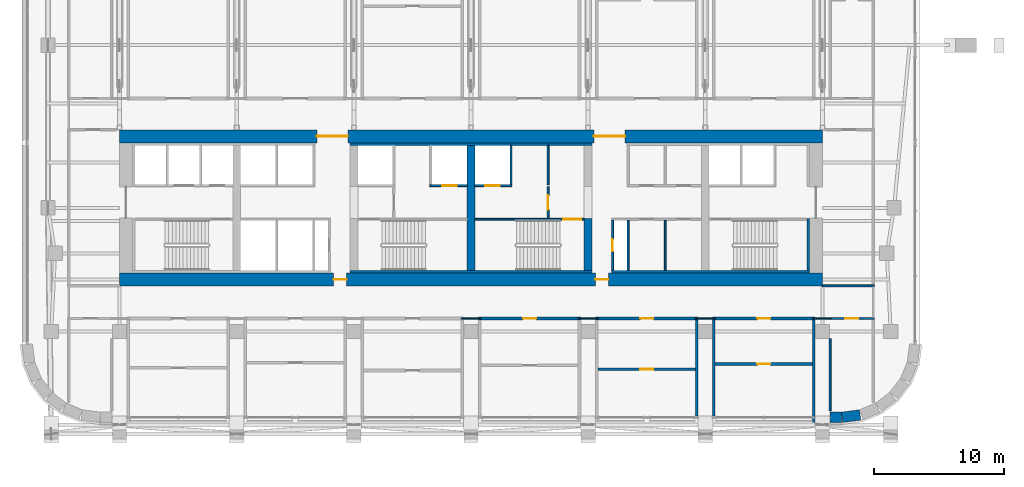
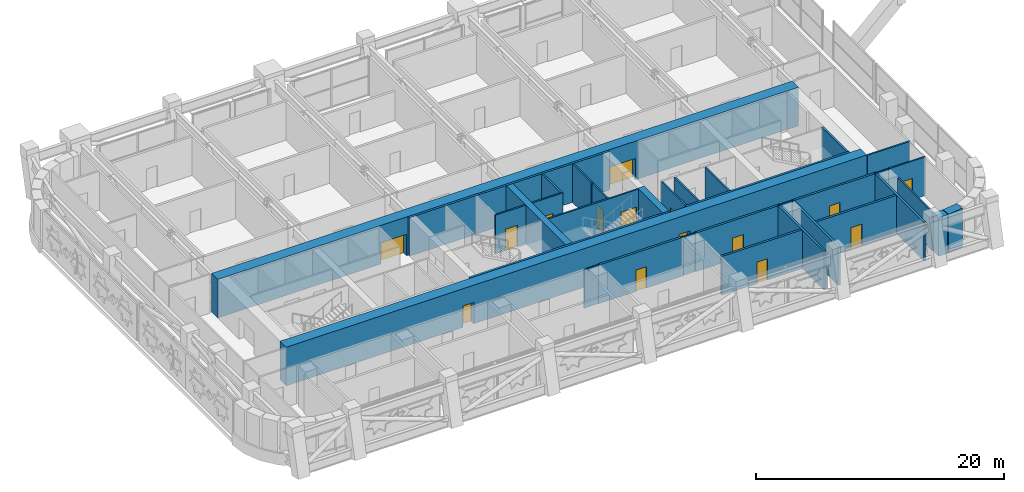
# One storey, part 14 of 27: 34 walls, 15 doors, 15 openings.
"""IFC4 building model written with IfcOpenShell, lengths in metres."""

from ifc_helpers import new_model, si_unit, direction, frame, frame_2d, origin, place, context, subcontext, project, spatial, rectangle, extrude, material, layer, layer_set, type_object, element, fill, save


model = new_model("IFC4")

# Units and contexts
model_context = context("Model", 3, precision=1e-05, world=origin(), true_north=direction((0.0, 1.0)))
body_context = subcontext(model_context, "Body", "Model", "MODEL_VIEW")
ifc_project = project(units=[si_unit("LENGTHUNIT", "METRE"), si_unit("AREAUNIT", "SQUARE_METRE"), si_unit("VOLUMEUNIT", "CUBIC_METRE"), si_unit("PLANEANGLEUNIT", "RADIAN"), si_unit("MASSUNIT", "GRAM", prefix="KILO")], contexts=[model_context])

# Site, building, storey
site_placement = place(None, origin())
site = spatial("IfcSite", under=ifc_project, at=site_placement, CompositionType="ELEMENT")
building_placement = place(site_placement, origin())
building = spatial("IfcBuilding", under=site, at=building_placement, Name="Zellij Exchange Tower", CompositionType="ELEMENT")
storey_placement = place(building_placement, frame((0.0, 0.0, 104.5)))
storey = spatial("IfcBuildingStorey", under=building, at=storey_placement, Name="L22", CompositionType="ELEMENT", Elevation=104.5)

# Walls
ifc_material_1 = material(Name="Concrete C70/85", Category="concrete")
ifc_layer_1 = layer(ifc_material_1, 0.60009765625)
ifc_layer_set_1 = layer_set([ifc_layer_1], Name="Concrete C70/85")
wall_type_1 = type_object("IfcWallType", Name="CORE-CW 600 C70/85", PredefinedType="SHEAR", material=ifc_layer_set_1)
wall_1_placement = place(storey_placement, frame((0.0, -12.800048828125, 0.0), z_axis=(0.0, 0.0, 1.0), x_axis=(0.0, 1.0, 0.0)))
element("IfcWall", 1, at=wall_1_placement, inside=storey, type_object=wall_type_1, Name="Core cross wall x 0 L22", PredefinedType="SHEAR", context=body_context, shape_type="SweptSolid", body=[
    extrude(rectangle(XDim=9.60009765625, YDim=0.60009765625, at=frame_2d((4.800048828125, 0.0))), origin(), (0.0, 0.0, 1.0), 3.800048828125),
])
wall_2_placement = place(storey_placement, frame((9.0, -12.800048828125, 0.0), z_axis=(0.0, 0.0, 1.0), x_axis=(0.0, 1.0, 0.0)))
element("IfcWall", 2, at=wall_2_placement, inside=storey, type_object=wall_type_1, Name="Core cross wall pier x 9 a L22", PredefinedType="SHEAR", context=body_context, shape_type="SweptSolid", body=[
    extrude(rectangle(XDim=4.0, YDim=0.60009765625, at=frame_2d((2.0, 0.0))), origin(), (0.0, 0.0, 1.0), 3.800048828125),
])
ifc_material_2 = material(Name="Concrete C30/37", Category="concrete")
ifc_layer_2 = layer(ifc_material_2, 0.199951171875)
ifc_layer_set_2 = layer_set([ifc_layer_2], Name="Concrete C30/37")
wall_type_2 = type_object("IfcWallType", Name="CORE-LW 200 C30/37", PredefinedType="SHEAR", material=ifc_layer_set_2)
for number, where, z_axis, x_axis, name in (
    (3, (-9.300048828125, -3.10009765625, 0.0), (0.0, 0.0, 1.0), (1.0, 0.0, 0.0), "Core wall lining front.1 L22"),
    (4, (-9.300048828125, -12.89990234375, 0.0), (0.0, 0.0, 1.0), (1.0, 0.0, 0.0), "Core wall lining rear.1 L22"),
):
    element("IfcWall", number, at=place(storey_placement, frame(where, z_axis=z_axis, x_axis=x_axis)), inside=storey, type_object=wall_type_2, Name=name, PredefinedType="SHEAR", context=body_context, shape_type="SweptSolid", body=[
        extrude(rectangle(XDim=18.60009765625, YDim=0.199951171875, at=frame_2d((9.300048828125, 0.0))), origin(), (0.0, 0.0, 1.0), 3.800048828125),
    ])
wall_3_placement = place(storey_placement, frame((10.800048828125, -12.89990234375, 0.0), z_axis=(0.0, 0.0, 1.0), x_axis=(1.0, 0.0, 0.0)))
element("IfcWall", 5, at=wall_3_placement, inside=storey, type_object=wall_type_2, Name="Core wall lining rear.2 L22", PredefinedType="SHEAR", context=body_context, shape_type="SweptSolid", body=[
    extrude(rectangle(XDim=15.199951171875, YDim=0.199951171875, at=frame_2d((7.60009765625, 0.0))), origin(), (0.0, 0.0, 1.0), 3.800048828125),
])
wall_4_placement = place(storey_placement, frame((25.89990234375, -12.800048828125, 0.0), z_axis=(0.0, 0.0, 1.0), x_axis=(0.0, 1.0, 0.0)))
element("IfcWall", 6, at=wall_4_placement, inside=storey, type_object=wall_type_2, Name="Core wall lining end e.0 L22", PredefinedType="SHEAR", context=body_context, shape_type="SweptSolid", body=[
    extrude(rectangle(XDim=4.0, YDim=0.199951171875, at=frame_2d((2.0, 0.0))), origin(), (0.0, 0.0, 1.0), 3.800048828125),
])

# Wall, opening, door
ifc_material_3 = material(Name="Gypsum shaft wall system")
ifc_layer_3 = layer(ifc_material_3, 0.14990234375)
ifc_layer_set_3 = layer_set([ifc_layer_3], Name="Gypsum shaft wall system")
wall_type_3 = type_object("IfcWallType", Name="CORE-PW 150 Firefighting lobby wall", PredefinedType="PARTITIONING", material=ifc_layer_set_3)
wall_5_placement = place(storey_placement, frame((5.925048828125, -8.800048828125, 0.0), z_axis=(0.0, 0.0, 1.0), x_axis=(0.0, 1.0, 0.0)))
wall_5 = element("IfcWall", 7, at=wall_5_placement, inside=storey, type_object=wall_type_3, Name="Firefighting lobby wall L22", PredefinedType="PARTITIONING", context=body_context, shape_type="SweptSolid", body=[
    extrude(rectangle(XDim=2.425048828125, YDim=0.14990234375, at=frame_2d((1.21240234375, 0.0))), origin(), (0.0, 0.0, 1.0), 3.800048828125),
])
opening_1_placement = place(wall_5_placement, frame((0.662109375, 0.0, 0.0)))
opening_1 = element("IfcOpeningElement", 8, at=opening_1_placement, cuts=wall_5, Name="Opening CA-12.12", PredefinedType="OPENING", context=body_context, shape_type="SweptSolid", body=[
    extrude(rectangle(XDim=1.10009765625, YDim=2.10009765625, at=frame_2d((0.550048828125, 1.050048828125))), frame((0.0, 0.0869140625, 0.0), z_axis=(0.0, -1.0, 0.0), x_axis=(1.0, 0.0, 0.0)), (0.0, 0.0, 1.0), 0.173828125),
])
ifc_material_4 = material(Name="Hollow metal fire door")
door_type_1 = type_object("IfcDoorType", Name="CORE-D F Firefighting lobby door 1100x2100 1 HR", OperationType="NOTDEFINED", PredefinedType="DOOR", material=ifc_material_4)
door_1_placement = place(opening_1_placement, origin())
door_1 = element("IfcDoor", 9, at=door_1_placement, inside=storey, type_object=door_type_1, Name="Firefighting lobby door CA-12.12", OperationType="SINGLE_SWING_RIGHT", OverallHeight=2.10009765625, OverallWidth=1.10009765625, PredefinedType="DOOR", context=body_context, shape_type="SweptSolid", body=[
    extrude(rectangle(XDim=1.10009765625, YDim=2.10009765625, at=frame_2d((0.550048828125, 1.050048828125))), frame((0.0, 0.02490234375, 0.0), z_axis=(0.0, -1.0, 0.0), x_axis=(1.0, 0.0, 0.0)), (0.0, 0.0, 1.0), 0.050048828125),
])
fill(opening_1, door_1)

# Wall
ifc_layer_4 = layer(ifc_material_3, 0.14990234375)
ifc_layer_set_4 = layer_set([ifc_layer_4], Name="Gypsum shaft wall system")
wall_type_4 = type_object("IfcWallType", Name="CORE-PW 150 Lift shaft wall", PredefinedType="PARTITIONING", material=ifc_layer_set_4)
wall_6_placement = place(storey_placement, frame((3.074951171875, -6.22509765625, 0.0), z_axis=(0.0, 0.0, 1.0), x_axis=(0.0, 1.0, 0.0)))
element("IfcWall", 10, at=wall_6_placement, inside=storey, type_object=wall_type_4, Name="Lift shaft wall L22", PredefinedType="PARTITIONING", context=body_context, shape_type="SweptSolid", body=[
    extrude(rectangle(XDim=3.025146484375, YDim=0.14990234375, at=frame_2d((1.5126953125, 0.0))), origin(), (0.0, 0.0, 1.0), 3.800048828125),
])

# Wall, opening, door
wall_7_placement = place(storey_placement, frame((-3.14990234375, -6.300048828125, 0.0), z_axis=(0.0, 0.0, 1.0), x_axis=(1.0, 0.0, 0.0)))
wall_7 = element("IfcWall", 11, at=wall_7_placement, inside=storey, type_object=wall_type_4, Name="Lift shaft wall L22", PredefinedType="PARTITIONING", context=body_context, shape_type="SweptSolid", body=[
    extrude(rectangle(XDim=2.849853515625, YDim=0.14990234375, at=frame_2d((1.4248046875, 0.0))), origin(), (0.0, 0.0, 1.0), 3.800048828125),
])
opening_2_placement = place(wall_7_placement, frame((0.949951171875, 0.0, 0.0)))
opening_2 = element("IfcOpeningElement", 12, at=opening_2_placement, cuts=wall_7, Name="Opening CA-12.10", PredefinedType="OPENING", context=body_context, shape_type="SweptSolid", body=[
    extrude(rectangle(XDim=1.10009765625, YDim=2.10009765625, at=frame_2d((0.550048828125, 1.050048828125))), frame((0.0, 0.0869140625, 0.0), z_axis=(0.0, -1.0, 0.0), x_axis=(1.0, 0.0, 0.0)), (0.0, 0.0, 1.0), 0.173828125),
])
door_type_2 = type_object("IfcDoorType", Name="CORE-D LD Lift landing door 1100x2100 1.5 HR", OperationType="NOTDEFINED", PredefinedType="DOOR", material=ifc_material_4)
door_2_placement = place(opening_2_placement, origin())
door_2 = element("IfcDoor", 13, at=door_2_placement, inside=storey, type_object=door_type_2, Name="Lift landing door CA-12.10", OperationType="SLIDING_TO_RIGHT", OverallHeight=2.10009765625, OverallWidth=1.10009765625, PredefinedType="DOOR", context=body_context, shape_type="SweptSolid", body=[
    extrude(rectangle(XDim=1.10009765625, YDim=2.10009765625, at=frame_2d((0.550048828125, 1.050048828125))), frame((0.0, 0.02490234375, 0.0), z_axis=(0.0, -1.0, 0.0), x_axis=(1.0, 0.0, 0.0)), (0.0, 0.0, 1.0), 0.050048828125),
])
fill(opening_2, door_2)

wall_8_placement = place(storey_placement, frame((0.300048828125, -6.300048828125, 0.0), z_axis=(0.0, 0.0, 1.0), x_axis=(1.0, 0.0, 0.0)))
wall_8 = element("IfcWall", 14, at=wall_8_placement, inside=storey, type_object=wall_type_4, Name="Lift shaft wall L22", PredefinedType="PARTITIONING", context=body_context, shape_type="SweptSolid", body=[
    extrude(rectangle(XDim=2.849853515625, YDim=0.14990234375, at=frame_2d((1.4248046875, 0.0))), origin(), (0.0, 0.0, 1.0), 3.800048828125),
])
opening_3_placement = place(wall_8_placement, frame((0.800048828125, 0.0, 0.0)))
opening_3 = element("IfcOpeningElement", 15, at=opening_3_placement, cuts=wall_8, Name="Opening CA-12.11", PredefinedType="OPENING", context=body_context, shape_type="SweptSolid", body=[
    extrude(rectangle(XDim=1.10009765625, YDim=2.10009765625, at=frame_2d((0.550048828125, 1.050048828125))), frame((0.0, 0.0869140625, 0.0), z_axis=(0.0, -1.0, 0.0), x_axis=(1.0, 0.0, 0.0)), (0.0, 0.0, 1.0), 0.173828125),
])
door_3_placement = place(opening_3_placement, origin())
door_3 = element("IfcDoor", 16, at=door_3_placement, inside=storey, type_object=door_type_2, Name="Lift landing door CA-12.11", OperationType="SLIDING_TO_LEFT", OverallHeight=2.10009765625, OverallWidth=1.10009765625, PredefinedType="DOOR", context=body_context, shape_type="SweptSolid", body=[
    extrude(rectangle(XDim=1.10009765625, YDim=2.10009765625, at=frame_2d((0.550048828125, 1.050048828125))), frame((0.0, 0.02490234375, 0.0), z_axis=(0.0, -1.0, 0.0), x_axis=(1.0, 0.0, 0.0)), (0.0, 0.0, 1.0), 0.050048828125),
])
fill(opening_3, door_3)

# Wall
ifc_layer_5 = layer(ifc_material_3, 0.14990234375)
ifc_layer_set_5 = layer_set([ifc_layer_5], Name="Gypsum shaft wall system")
wall_type_5 = type_object("IfcWallType", Name="CORE-PW 150 Plant room wall", PredefinedType="PARTITIONING", material=ifc_layer_set_5)
wall_9_placement = place(storey_placement, frame((5.925048828125, -6.22509765625, 0.0), z_axis=(0.0, 0.0, 1.0), x_axis=(0.0, 1.0, 0.0)))
element("IfcWall", 17, at=wall_9_placement, inside=storey, type_object=wall_type_5, Name="Plant room wall L22", PredefinedType="PARTITIONING", context=body_context, shape_type="SweptSolid", body=[
    extrude(rectangle(XDim=3.025146484375, YDim=0.14990234375, at=frame_2d((1.5126953125, 0.0))), origin(), (0.0, 0.0, 1.0), 3.800048828125),
])

# Wall, opening, door
wall_10_placement = place(storey_placement, frame((10.875, -12.800048828125, 0.0), z_axis=(0.0, 0.0, 1.0), x_axis=(0.0, 1.0, 0.0)))
wall_10 = element("IfcWall", 18, at=wall_10_placement, inside=storey, type_object=wall_type_5, Name="Plant room wall L22", PredefinedType="PARTITIONING", context=body_context, shape_type="SweptSolid", body=[
    extrude(rectangle(XDim=3.85009765625, YDim=0.14990234375, at=frame_2d((1.925048828125, 0.0))), origin(), (0.0, 0.0, 1.0), 3.800048828125),
])
opening_4_placement = place(wall_10_placement, frame((1.47509765625, 0.0, 0.0)))
opening_4 = element("IfcOpeningElement", 19, at=opening_4_placement, cuts=wall_10, Name="Opening CA-12.16", PredefinedType="OPENING", context=body_context, shape_type="SweptSolid", body=[
    extrude(rectangle(XDim=0.89990234375, YDim=2.10009765625, at=frame_2d((0.449951171875, 1.050048828125))), frame((0.0, 0.0869140625, 0.0), z_axis=(0.0, -1.0, 0.0), x_axis=(1.0, 0.0, 0.0)), (0.0, 0.0, 1.0), 0.173828125),
])
door_type_3 = type_object("IfcDoorType", Name="CORE-D RD Riser door 900x2100 1.5 HR", OperationType="NOTDEFINED", PredefinedType="DOOR", material=ifc_material_4)
door_4_placement = place(opening_4_placement, origin())
door_4 = element("IfcDoor", 20, at=door_4_placement, inside=storey, type_object=door_type_3, Name="Riser door CA-12.16", OperationType="SINGLE_SWING_LEFT", OverallHeight=2.10009765625, OverallWidth=0.89990234375, PredefinedType="DOOR", context=body_context, shape_type="SweptSolid", body=[
    extrude(rectangle(XDim=0.89990234375, YDim=2.10009765625, at=frame_2d((0.449951171875, 1.050048828125))), frame((0.0, 0.02490234375, 0.0), z_axis=(0.0, -1.0, 0.0), x_axis=(1.0, 0.0, 0.0)), (0.0, 0.0, 1.0), 0.050048828125),
])
fill(opening_4, door_4)

# Walls
for number, where, z_axis, x_axis, name in (
    (21, (12.074951171875, -12.800048828125, 0.0), (0.0, 0.0, 1.0), (0.0, 1.0, 0.0), "Plant room wall L22"),
    (22, (14.925048828125, -12.800048828125, 0.0), (0.0, 0.0, 1.0), (0.0, 1.0, 0.0), "Plant room wall L22"),
):
    element("IfcWall", number, at=place(storey_placement, frame(where, z_axis=z_axis, x_axis=x_axis)), inside=storey, type_object=wall_type_5, Name=name, PredefinedType="PARTITIONING", context=body_context, shape_type="SweptSolid", body=[
        extrude(rectangle(XDim=3.85009765625, YDim=0.14990234375, at=frame_2d((1.925048828125, 0.0))), origin(), (0.0, 0.0, 1.0), 3.800048828125),
    ])

# Wall, openings, doors
ifc_layer_6 = layer(ifc_material_1, 1.0)
ifc_layer_set_6 = layer_set([ifc_layer_6], Name="Concrete C70/85")
wall_type_6 = type_object("IfcWallType", Name="CORE-SW 1000 C70/85", PredefinedType="SHEAR", material=ifc_layer_set_6)
wall_11_placement = place(storey_placement, frame((-27.0, -2.5, 0.0), z_axis=(0.0, 0.0, 1.0), x_axis=(1.0, 0.0, 0.0)))
wall_11 = element("IfcWall", 23, at=wall_11_placement, inside=storey, type_object=wall_type_6, Name="Core shear wall front L22", PredefinedType="SHEAR", context=body_context, shape_type="SweptSolid", body=[
    extrude(rectangle(XDim=54.0, YDim=1.0, at=frame_2d((27.0, 0.0))), origin(), (0.0, 0.0, 1.0), 3.800048828125),
])
opening_5_placement = place(wall_11_placement, frame((15.14990234375, 0.0, 0.0)))
opening_5 = element("IfcOpeningElement", 24, at=opening_5_placement, cuts=wall_11, Name="Opening CA-12.06", PredefinedType="OPENING", context=body_context, shape_type="SweptSolid", body=[
    extrude(rectangle(XDim=2.39990234375, YDim=2.10009765625, at=frame_2d((1.199951171875, 1.050048828125))), frame((0.0, 0.511962890625, 0.0), z_axis=(0.0, -1.0, 0.0), x_axis=(1.0, 0.0, 0.0)), (0.0, 0.0, 1.0), 1.02392578125),
])
opening_6_placement = place(wall_11_placement, frame((36.449951171875, 0.0, 0.0)))
opening_6 = element("IfcOpeningElement", 25, at=opening_6_placement, cuts=wall_11, Name="Opening CA-12.15", PredefinedType="OPENING", context=body_context, shape_type="SweptSolid", body=[
    extrude(rectangle(XDim=2.39990234375, YDim=2.10009765625, at=frame_2d((1.199951171875, 1.050048828125))), frame((0.0, 0.511962890625, 0.0), z_axis=(0.0, -1.0, 0.0), x_axis=(1.0, 0.0, 0.0)), (0.0, 0.0, 1.0), 1.02392578125),
])
door_type_4 = type_object("IfcDoorType", Name="CORE-D CE Core entrance door 2400x2100 20 MIN", OperationType="NOTDEFINED", PredefinedType="DOOR", material=ifc_material_4)
door_5_placement = place(opening_5_placement, origin())
door_5 = element("IfcDoor", 26, at=door_5_placement, inside=storey, type_object=door_type_4, Name="Core entrance door CA-12.06", OperationType="DOUBLE_DOOR_SINGLE_SWING", OverallHeight=2.10009765625, OverallWidth=2.39990234375, PredefinedType="DOOR", context=body_context, shape_type="SweptSolid", body=[
    extrude(rectangle(XDim=2.39990234375, YDim=2.10009765625, at=frame_2d((1.199951171875, 1.050048828125))), frame((0.0, 0.02490234375, 0.0), z_axis=(0.0, -1.0, 0.0), x_axis=(1.0, 0.0, 0.0)), (0.0, 0.0, 1.0), 0.050048828125),
])
fill(opening_5, door_5)
door_6_placement = place(opening_6_placement, origin())
door_6 = element("IfcDoor", 27, at=door_6_placement, inside=storey, type_object=door_type_4, Name="Core entrance door CA-12.15", OperationType="DOUBLE_DOOR_SINGLE_SWING", OverallHeight=2.10009765625, OverallWidth=2.39990234375, PredefinedType="DOOR", context=body_context, shape_type="SweptSolid", body=[
    extrude(rectangle(XDim=2.39990234375, YDim=2.10009765625, at=frame_2d((1.199951171875, 1.050048828125))), frame((0.0, 0.02490234375, 0.0), z_axis=(0.0, -1.0, 0.0), x_axis=(1.0, 0.0, 0.0)), (0.0, 0.0, 1.0), 0.050048828125),
])
fill(opening_6, door_6)

wall_12_placement = place(storey_placement, frame((-27.0, -13.5, 0.0), z_axis=(0.0, 0.0, 1.0), x_axis=(1.0, 0.0, 0.0)))
wall_12 = element("IfcWall", 28, at=wall_12_placement, inside=storey, type_object=wall_type_6, Name="Core shear wall rear L22", PredefinedType="SHEAR", context=body_context, shape_type="SweptSolid", body=[
    extrude(rectangle(XDim=54.0, YDim=1.0, at=frame_2d((27.0, 0.0))), origin(), (0.0, 0.0, 1.0), 3.800048828125),
])
opening_7_placement = place(wall_12_placement, frame((16.449951171875, 0.0, 0.0)))
opening_7 = element("IfcOpeningElement", 29, at=opening_7_placement, cuts=wall_12, Name="Opening CA-12.07", PredefinedType="OPENING", context=body_context, shape_type="SweptSolid", body=[
    extrude(rectangle(XDim=1.0, YDim=2.10009765625, at=frame_2d((0.5, 1.050048828125))), frame((0.0, 0.511962890625, 0.0), z_axis=(0.0, -1.0, 0.0), x_axis=(1.0, 0.0, 0.0)), (0.0, 0.0, 1.0), 1.02392578125),
])
opening_8_placement = place(wall_12_placement, frame((36.550048828125, 0.0, 0.0)))
opening_8 = element("IfcOpeningElement", 30, at=opening_8_placement, cuts=wall_12, Name="Opening CA-12.14", PredefinedType="OPENING", context=body_context, shape_type="SweptSolid", body=[
    extrude(rectangle(XDim=1.0, YDim=2.10009765625, at=frame_2d((0.5, 1.050048828125))), frame((0.0, 0.511962890625, 0.0), z_axis=(0.0, -1.0, 0.0), x_axis=(1.0, 0.0, 0.0)), (0.0, 0.0, 1.0), 1.02392578125),
])
door_type_5 = type_object("IfcDoorType", Name="CORE-D CR Core rear door 1000x2100 20 MIN", OperationType="NOTDEFINED", PredefinedType="DOOR", material=ifc_material_4)
door_7_placement = place(opening_7_placement, origin())
door_7 = element("IfcDoor", 31, at=door_7_placement, inside=storey, type_object=door_type_5, Name="Core rear door CA-12.07", OperationType="SINGLE_SWING_RIGHT", OverallHeight=2.10009765625, OverallWidth=1.0, PredefinedType="DOOR", context=body_context, shape_type="SweptSolid", body=[
    extrude(rectangle(XDim=1.0, YDim=2.10009765625, at=frame_2d((0.5, 1.050048828125))), frame((0.0, 0.02490234375, 0.0), z_axis=(0.0, -1.0, 0.0), x_axis=(1.0, 0.0, 0.0)), (0.0, 0.0, 1.0), 0.050048828125),
])
fill(opening_7, door_7)
door_8_placement = place(opening_8_placement, origin())
door_8 = element("IfcDoor", 32, at=door_8_placement, inside=storey, type_object=door_type_5, Name="Core rear door CA-12.14", OperationType="SINGLE_SWING_LEFT", OverallHeight=2.10009765625, OverallWidth=1.0, PredefinedType="DOOR", context=body_context, shape_type="SweptSolid", body=[
    extrude(rectangle(XDim=1.0, YDim=2.10009765625, at=frame_2d((0.5, 1.050048828125))), frame((0.0, 0.02490234375, 0.0), z_axis=(0.0, -1.0, 0.0), x_axis=(1.0, 0.0, 0.0)), (0.0, 0.0, 1.0), 0.050048828125),
])
fill(opening_8, door_8)

# Wall, opening, door
ifc_layer_7 = layer(ifc_material_1, 0.14990234375)
ifc_layer_set_7 = layer_set([ifc_layer_7], Name="Concrete C70/85")
wall_type_7 = type_object("IfcWallType", Name="CORE-SWS 150 C70/85", PredefinedType="SHEAR", material=ifc_layer_set_7)
wall_13_placement = place(storey_placement, frame((0.300048828125, -8.875, 0.0), z_axis=(0.0, 0.0, 1.0), x_axis=(1.0, 0.0, 0.0)))
wall_13 = element("IfcWall", 33, at=wall_13_placement, inside=storey, type_object=wall_type_7, Name="Stair enclosure wall L22", PredefinedType="SHEAR", context=body_context, shape_type="SweptSolid", body=[
    extrude(rectangle(XDim=8.39990234375, YDim=0.14990234375, at=frame_2d((4.199951171875, 0.0))), origin(), (0.0, 0.0, 1.0), 3.800048828125),
])
opening_9_placement = place(wall_13_placement, frame((6.77490234375, 0.0, 0.0)))
opening_9 = element("IfcOpeningElement", 34, at=opening_9_placement, cuts=wall_13, Name="Opening CA-12.13", PredefinedType="OPENING", context=body_context, shape_type="SweptSolid", body=[
    extrude(rectangle(XDim=1.39990234375, YDim=2.10009765625, at=frame_2d((0.699951171875, 1.050048828125))), frame((0.0, 0.0869140625, 0.0), z_axis=(0.0, -1.0, 0.0), x_axis=(1.0, 0.0, 0.0)), (0.0, 0.0, 1.0), 0.173828125),
])
door_type_6 = type_object("IfcDoorType", Name="CORE-D SD Stair door 1400x2100 1.5 HR", OperationType="NOTDEFINED", PredefinedType="DOOR", material=ifc_material_4)
door_9_placement = place(opening_9_placement, origin())
door_9 = element("IfcDoor", 35, at=door_9_placement, inside=storey, type_object=door_type_6, Name="Stair door CA-12.13", OperationType="DOUBLE_DOOR_SINGLE_SWING", OverallHeight=2.10009765625, OverallWidth=1.39990234375, PredefinedType="DOOR", context=body_context, shape_type="SweptSolid", body=[
    extrude(rectangle(XDim=1.39990234375, YDim=2.10009765625, at=frame_2d((0.699951171875, 1.050048828125))), frame((0.0, 0.02490234375, 0.0), z_axis=(0.0, -1.0, 0.0), x_axis=(1.0, 0.0, 0.0)), (0.0, 0.0, 1.0), 0.050048828125),
])
fill(opening_9, door_9)

# Walls
ifc_material_5 = material(Name="Precast concrete C40/50", Category="concrete")
ifc_layer_8 = layer(ifc_material_5, 0.800048828125)
ifc_layer_set_8 = layer_set([ifc_layer_8], Name="Precast concrete C40/50")
wall_type_8 = type_object("IfcWallType", Name="ENV-EW1 Precast stone-piered wall 800", PredefinedType="SOLIDWALL", material=ifc_layer_set_8)
wall_14_placement = place(storey_placement, frame((27.60009765625, -24.10009765625, 0.0), z_axis=(0.0, 0.0, 1.0), x_axis=(1.0, 0.0, 0.0)))
element("IfcWall", 36, at=wall_14_placement, inside=storey, type_object=wall_type_8, Name="fac.L22.00j", PredefinedType="SOLIDWALL", context=body_context, shape_type="SweptSolid", body=[
    extrude(rectangle(XDim=0.847412109375, YDim=0.800048828125, at=frame_2d((0.423828125, 0.0))), origin(), (0.0, 0.0, 1.0), 3.800048828125),
])
wall_15_placement = place(storey_placement, frame((28.499755859375, -24.0966796875, 0.0), z_axis=(0.0, 0.0, 1.0), x_axis=(0.99144603414, 0.130517283865, 0.0)))
element("IfcWall", 37, at=wall_15_placement, inside=storey, type_object=wall_type_8, Name="fac.L22.01", PredefinedType="SOLIDWALL", context=body_context, shape_type="SweptSolid", body=[
    extrude(rectangle(XDim=1.408447265625, YDim=0.800048828125, at=frame_2d((0.7041015625, 0.0))), origin(), (0.0, 0.0, 1.0), 3.800048828125),
])
ifc_material_6 = material(Name="Blockwork fire wall", Category="masonry")
ifc_layer_9 = layer(ifc_material_6, 0.199951171875)
ifc_layer_set_9 = layer_set([ifc_layer_9], Name="Blockwork fire wall")
wall_type_9 = type_object("IfcWallType", Name="FIT-BLOCKWORK-200-EI120", PredefinedType="PARTITIONING", material=ifc_layer_set_9)
for number, where, z_axis, x_axis, name in (
    (38, (17.340087890625, -24.0, 0.0), (0.0, 0.0, 1.0), (0.0, 1.0, 0.0), "FIT-BLOCKWORK-200-EI120 010"),
    (39, (18.659912109375, -24.0, 0.0), (0.0, 0.0, 1.0), (0.0, 1.0, 0.0), "FIT-BLOCKWORK-200-EI120 011"),
):
    element("IfcWall", number, at=place(storey_placement, frame(where, z_axis=z_axis, x_axis=x_axis)), inside=storey, type_object=wall_type_9, Name=name, PredefinedType="PARTITIONING", context=body_context, shape_type="SweptSolid", body=[
        extrude(rectangle(XDim=7.39990234375, YDim=0.199951171875, at=frame_2d((3.699951171875, 0.0))), origin(), (0.0, 0.0, 1.0), 3.800048828125),
    ])
wall_16_placement = place(storey_placement, frame((26.340087890625, -24.482177734375, 0.0), z_axis=(0.0, 0.0, 1.0), x_axis=(0.0, 1.0, 0.0)))
element("IfcWall", 40, at=wall_16_placement, inside=storey, type_object=wall_type_9, Name="FIT-BLOCKWORK-200-EI120 012", PredefinedType="PARTITIONING", context=body_context, shape_type="SweptSolid", body=[
    extrude(rectangle(XDim=7.882080078125, YDim=0.199951171875, at=frame_2d((3.94091796875, 0.0))), origin(), (0.0, 0.0, 1.0), 3.800048828125),
])

# Wall, opening, door
wall_17_placement = place(storey_placement, frame((9.760009765625, -20.39990234375, 0.0), z_axis=(0.0, 0.0, 1.0), x_axis=(1.0, 0.0, 0.0)))
wall_17 = element("IfcWall", 41, at=wall_17_placement, inside=storey, type_object=wall_type_9, Name="FIT-BLOCKWORK-200-EI120 018", PredefinedType="PARTITIONING", context=body_context, shape_type="SweptSolid", body=[
    extrude(rectangle(XDim=7.47998046875, YDim=0.199951171875, at=frame_2d((3.739990234375, 0.0))), origin(), (0.0, 0.0, 1.0), 3.800048828125),
])
opening_10_placement = place(wall_17_placement, frame((3.25, 0.0, 0.0)))
opening_10 = element("IfcOpeningElement", 42, at=opening_10_placement, cuts=wall_17, Name="Opening PL22.02", PredefinedType="OPENING", context=body_context, shape_type="SweptSolid", body=[
    extrude(rectangle(XDim=1.0, YDim=2.10009765625, at=frame_2d((0.5, 1.050048828125))), frame((0.0, 0.11181640625, 0.0), z_axis=(0.0, -1.0, 0.0), x_axis=(1.0, 0.0, 0.0)), (0.0, 0.0, 1.0), 0.223876953125),
])
ifc_material_7 = material(Name="Steel fire door set", Category="steel")
door_type_7 = type_object("IfcDoorType", Name="FIT-D4-FIRE-1000X2100", OperationType="SINGLE_SWING_LEFT", PredefinedType="DOOR", material=ifc_material_7)
door_10_placement = place(opening_10_placement, origin())
door_10 = element("IfcDoor", 43, at=door_10_placement, inside=storey, type_object=door_type_7, Name="Door PL22.02", OperationType="SINGLE_SWING_LEFT", OverallHeight=2.10009765625, OverallWidth=1.0, PredefinedType="DOOR", context=body_context, shape_type="SweptSolid", body=[
    extrude(rectangle(XDim=1.0, YDim=2.10009765625, at=frame_2d((0.5, 1.050048828125))), frame((0.0, 0.02490234375, 0.0), z_axis=(0.0, -1.0, 0.0), x_axis=(1.0, 0.0, 0.0)), (0.0, 0.0, 1.0), 0.050048828125),
])
fill(opening_10, door_10)

wall_18_placement = place(storey_placement, frame((18.760009765625, -20.0, 0.0), z_axis=(0.0, 0.0, 1.0), x_axis=(1.0, 0.0, 0.0)))
wall_18 = element("IfcWall", 44, at=wall_18_placement, inside=storey, type_object=wall_type_9, Name="FIT-BLOCKWORK-200-EI120 021", PredefinedType="PARTITIONING", context=body_context, shape_type="SweptSolid", body=[
    extrude(rectangle(XDim=7.47998046875, YDim=0.199951171875, at=frame_2d((3.739990234375, 0.0))), origin(), (0.0, 0.0, 1.0), 3.800048828125),
])
opening_11_placement = place(wall_18_placement, frame((3.25, 0.0, 0.0)))
opening_11 = element("IfcOpeningElement", 45, at=opening_11_placement, cuts=wall_18, Name="Opening PL22.05", PredefinedType="OPENING", context=body_context, shape_type="SweptSolid", body=[
    extrude(rectangle(XDim=1.0, YDim=2.10009765625, at=frame_2d((0.5, 1.050048828125))), frame((0.0, 0.11181640625, 0.0), z_axis=(0.0, -1.0, 0.0), x_axis=(1.0, 0.0, 0.0)), (0.0, 0.0, 1.0), 0.223876953125),
])
door_11_placement = place(opening_11_placement, origin())
door_11 = element("IfcDoor", 46, at=door_11_placement, inside=storey, type_object=door_type_7, Name="Door PL22.05", OperationType="SINGLE_SWING_LEFT", OverallHeight=2.10009765625, OverallWidth=1.0, PredefinedType="DOOR", context=body_context, shape_type="SweptSolid", body=[
    extrude(rectangle(XDim=1.0, YDim=2.10009765625, at=frame_2d((0.5, 1.050048828125))), frame((0.0, 0.02490234375, 0.0), z_axis=(0.0, -1.0, 0.0), x_axis=(1.0, 0.0, 0.0)), (0.0, 0.0, 1.0), 0.050048828125),
])
fill(opening_11, door_11)

wall_19_placement = place(storey_placement, frame((0.56005859375, -16.5, 0.0), z_axis=(0.0, 0.0, 1.0), x_axis=(1.0, 0.0, 0.0)))
wall_19 = element("IfcWall", 47, at=wall_19_placement, inside=storey, type_object=wall_type_9, Name="FIT-BLOCKWORK-200-EI120 032", PredefinedType="PARTITIONING", context=body_context, shape_type="SweptSolid", body=[
    extrude(rectangle(XDim=7.8798828125, YDim=0.199951171875, at=frame_2d((3.93994140625, 0.0))), origin(), (0.0, 0.0, 1.0), 3.800048828125),
])
opening_12_placement = place(wall_19_placement, frame((3.449951171875, 0.0, 0.0)))
opening_12 = element("IfcOpeningElement", 48, at=opening_12_placement, cuts=wall_19, Name="Opening PL22.11", PredefinedType="OPENING", context=body_context, shape_type="SweptSolid", body=[
    extrude(rectangle(XDim=1.0, YDim=2.10009765625, at=frame_2d((0.5, 1.050048828125))), frame((0.0, 0.11181640625, 0.0), z_axis=(0.0, -1.0, 0.0), x_axis=(1.0, 0.0, 0.0)), (0.0, 0.0, 1.0), 0.223876953125),
])
door_12_placement = place(opening_12_placement, origin())
door_12 = element("IfcDoor", 49, at=door_12_placement, inside=storey, type_object=door_type_7, Name="Door PL22.11", OperationType="SINGLE_SWING_LEFT", OverallHeight=2.10009765625, OverallWidth=1.0, PredefinedType="DOOR", context=body_context, shape_type="SweptSolid", body=[
    extrude(rectangle(XDim=1.0, YDim=2.10009765625, at=frame_2d((0.5, 1.050048828125))), frame((0.0, 0.02490234375, 0.0), z_axis=(0.0, -1.0, 0.0), x_axis=(1.0, 0.0, 0.0)), (0.0, 0.0, 1.0), 0.050048828125),
])
fill(opening_12, door_12)

wall_20_placement = place(storey_placement, frame((9.56005859375, -16.5, 0.0), z_axis=(0.0, 0.0, 1.0), x_axis=(1.0, 0.0, 0.0)))
wall_20 = element("IfcWall", 50, at=wall_20_placement, inside=storey, type_object=wall_type_9, Name="FIT-BLOCKWORK-200-EI120 034", PredefinedType="PARTITIONING", context=body_context, shape_type="SweptSolid", body=[
    extrude(rectangle(XDim=7.8798828125, YDim=0.199951171875, at=frame_2d((3.93994140625, 0.0))), origin(), (0.0, 0.0, 1.0), 3.800048828125),
])
opening_13_placement = place(wall_20_placement, frame((3.449951171875, 0.0, 0.0)))
opening_13 = element("IfcOpeningElement", 51, at=opening_13_placement, cuts=wall_20, Name="Opening PL22.12", PredefinedType="OPENING", context=body_context, shape_type="SweptSolid", body=[
    extrude(rectangle(XDim=1.0, YDim=2.10009765625, at=frame_2d((0.5, 1.050048828125))), frame((0.0, 0.11181640625, 0.0), z_axis=(0.0, -1.0, 0.0), x_axis=(1.0, 0.0, 0.0)), (0.0, 0.0, 1.0), 0.223876953125),
])
door_13_placement = place(opening_13_placement, origin())
door_13 = element("IfcDoor", 52, at=door_13_placement, inside=storey, type_object=door_type_7, Name="Door PL22.12", OperationType="SINGLE_SWING_LEFT", OverallHeight=2.10009765625, OverallWidth=1.0, PredefinedType="DOOR", context=body_context, shape_type="SweptSolid", body=[
    extrude(rectangle(XDim=1.0, YDim=2.10009765625, at=frame_2d((0.5, 1.050048828125))), frame((0.0, 0.02490234375, 0.0), z_axis=(0.0, -1.0, 0.0), x_axis=(1.0, 0.0, 0.0)), (0.0, 0.0, 1.0), 0.050048828125),
])
fill(opening_13, door_13)

wall_21_placement = place(storey_placement, frame((18.56005859375, -16.5, 0.0), z_axis=(0.0, 0.0, 1.0), x_axis=(1.0, 0.0, 0.0)))
wall_21 = element("IfcWall", 53, at=wall_21_placement, inside=storey, type_object=wall_type_9, Name="FIT-BLOCKWORK-200-EI120 036", PredefinedType="PARTITIONING", context=body_context, shape_type="SweptSolid", body=[
    extrude(rectangle(XDim=7.8798828125, YDim=0.199951171875, at=frame_2d((3.93994140625, 0.0))), origin(), (0.0, 0.0, 1.0), 3.800048828125),
])
opening_14_placement = place(wall_21_placement, frame((3.449951171875, 0.0, 0.0)))
opening_14 = element("IfcOpeningElement", 54, at=opening_14_placement, cuts=wall_21, Name="Opening PL22.13", PredefinedType="OPENING", context=body_context, shape_type="SweptSolid", body=[
    extrude(rectangle(XDim=1.0, YDim=2.10009765625, at=frame_2d((0.5, 1.050048828125))), frame((0.0, 0.11181640625, 0.0), z_axis=(0.0, -1.0, 0.0), x_axis=(1.0, 0.0, 0.0)), (0.0, 0.0, 1.0), 0.223876953125),
])
door_14_placement = place(opening_14_placement, origin())
door_14 = element("IfcDoor", 55, at=door_14_placement, inside=storey, type_object=door_type_7, Name="Door PL22.13", OperationType="SINGLE_SWING_LEFT", OverallHeight=2.10009765625, OverallWidth=1.0, PredefinedType="DOOR", context=body_context, shape_type="SweptSolid", body=[
    extrude(rectangle(XDim=1.0, YDim=2.10009765625, at=frame_2d((0.5, 1.050048828125))), frame((0.0, 0.02490234375, 0.0), z_axis=(0.0, -1.0, 0.0), x_axis=(1.0, 0.0, 0.0)), (0.0, 0.0, 1.0), 0.050048828125),
])
fill(opening_14, door_14)

# Walls
ifc_material_8 = material(Name="Gypsum board partition on steel studs", Category="steel")
ifc_layer_10 = layer(ifc_material_8, 0.10009765625)
ifc_layer_set_10 = layer_set([ifc_layer_10], Name="Gypsum board partition on steel studs")
wall_type_10 = type_object("IfcWallType", Name="FIT-PARTITION-100", PredefinedType="PARTITIONING", material=ifc_layer_set_10)
for number, where, z_axis, x_axis, name in (
    (56, (-0.760009765625, -16.5, 0.0), (0.0, 0.0, 1.0), (1.0, 0.0, 0.0), "FIT-PARTITION-100 031"),
    (57, (8.239990234375, -16.5, 0.0), (0.0, 0.0, 1.0), (1.0, 0.0, 0.0), "FIT-PARTITION-100 033"),
    (58, (17.239990234375, -16.5, 0.0), (0.0, 0.0, 1.0), (1.0, 0.0, 0.0), "FIT-PARTITION-100 035"),
):
    element("IfcWall", number, at=place(storey_placement, frame(where, z_axis=z_axis, x_axis=x_axis)), inside=storey, type_object=wall_type_10, Name=name, PredefinedType="PARTITIONING", context=body_context, shape_type="SweptSolid", body=[
        extrude(rectangle(XDim=1.52001953125, YDim=0.10009765625, at=frame_2d((0.760009765625, 0.0))), origin(), (0.0, 0.0, 1.0), 3.800048828125),
    ])
wall_22_placement = place(storey_placement, frame((26.239990234375, -16.5, 0.0), z_axis=(0.0, 0.0, 1.0), x_axis=(1.0, 0.0, 0.0)))
element("IfcWall", 59, at=wall_22_placement, inside=storey, type_object=wall_type_10, Name="FIT-PARTITION-100 037", PredefinedType="PARTITIONING", context=body_context, shape_type="SweptSolid", body=[
    extrude(rectangle(XDim=1.43505859375, YDim=0.10009765625, at=frame_2d((0.717529296875, 0.0))), origin(), (0.0, 0.0, 1.0), 3.800048828125),
])
ifc_material_9 = material(Name="Gypsum board shaft-wall partition", Category="gypsum")
ifc_layer_11 = layer(ifc_material_9, 0.14990234375)
ifc_layer_set_11 = layer_set([ifc_layer_11], Name="Gypsum board shaft-wall partition")
wall_type_11 = type_object("IfcWallType", Name="FIT-PARTITION-150-EI60", PredefinedType="PARTITIONING", material=ifc_layer_set_11)
wall_23_placement = place(storey_placement, frame((27.60009765625, -23.60009765625, 0.0), z_axis=(0.0, 0.0, 1.0), x_axis=(0.0, 1.0, 0.0)))
element("IfcWall", 60, at=wall_23_placement, inside=storey, type_object=wall_type_11, Name="FIT-PARTITION-150-EI60 014", PredefinedType="PARTITIONING", context=body_context, shape_type="SweptSolid", body=[
    extrude(rectangle(XDim=5.550048828125, YDim=0.14990234375, at=frame_2d((2.77490234375, 0.0))), origin(), (0.0, 0.0, 1.0), 3.800048828125),
])

# Wall, opening, door
wall_24_placement = place(storey_placement, frame((27.52490234375, -16.5, 0.0), z_axis=(0.0, 0.0, 1.0), x_axis=(1.0, 0.0, 0.0)))
wall_24 = element("IfcWall", 61, at=wall_24_placement, inside=storey, type_object=wall_type_11, Name="FIT-PARTITION-150-EI60 038", PredefinedType="PARTITIONING", context=body_context, shape_type="SweptSolid", body=[
    extrude(rectangle(XDim=3.4501953125, YDim=0.14990234375, at=frame_2d((1.72509765625, 0.0))), origin(), (0.0, 0.0, 1.0), 3.800048828125),
])
opening_15_placement = place(wall_24_placement, frame((1.22509765625, 0.0, 0.0)))
opening_15 = element("IfcOpeningElement", 62, at=opening_15_placement, cuts=wall_24, Name="Opening PL22.14", PredefinedType="OPENING", context=body_context, shape_type="SweptSolid", body=[
    extrude(rectangle(XDim=1.0, YDim=2.10009765625, at=frame_2d((0.5, 1.050048828125))), frame((0.0, 0.0869140625, 0.0), z_axis=(0.0, -1.0, 0.0), x_axis=(1.0, 0.0, 0.0)), (0.0, 0.0, 1.0), 0.173828125),
])
door_15_placement = place(opening_15_placement, origin())
door_15 = element("IfcDoor", 63, at=door_15_placement, inside=storey, type_object=door_type_7, Name="Door PL22.14", OperationType="SINGLE_SWING_LEFT", OverallHeight=2.10009765625, OverallWidth=1.0, PredefinedType="DOOR", context=body_context, shape_type="SweptSolid", body=[
    extrude(rectangle(XDim=1.0, YDim=2.10009765625, at=frame_2d((0.5, 1.050048828125))), frame((0.0, 0.02490234375, 0.0), z_axis=(0.0, -1.0, 0.0), x_axis=(1.0, 0.0, 0.0)), (0.0, 0.0, 1.0), 0.050048828125),
])
fill(opening_15, door_15)

# Wall
wall_25_placement = place(storey_placement, frame((27.0, -14.0, 0.0), z_axis=(0.0, 0.0, 1.0), x_axis=(1.0, 0.0, 0.0)))
element("IfcWall", 64, at=wall_25_placement, inside=storey, type_object=wall_type_11, Name="FIT-PARTITION-150-EI60 042", PredefinedType="PARTITIONING", context=body_context, shape_type="SweptSolid", body=[
    extrude(rectangle(XDim=3.97509765625, YDim=0.14990234375, at=frame_2d((1.987548828125, 0.0))), origin(), (0.0, 0.0, 1.0), 3.800048828125),
])

save(model, "model.ifc")
